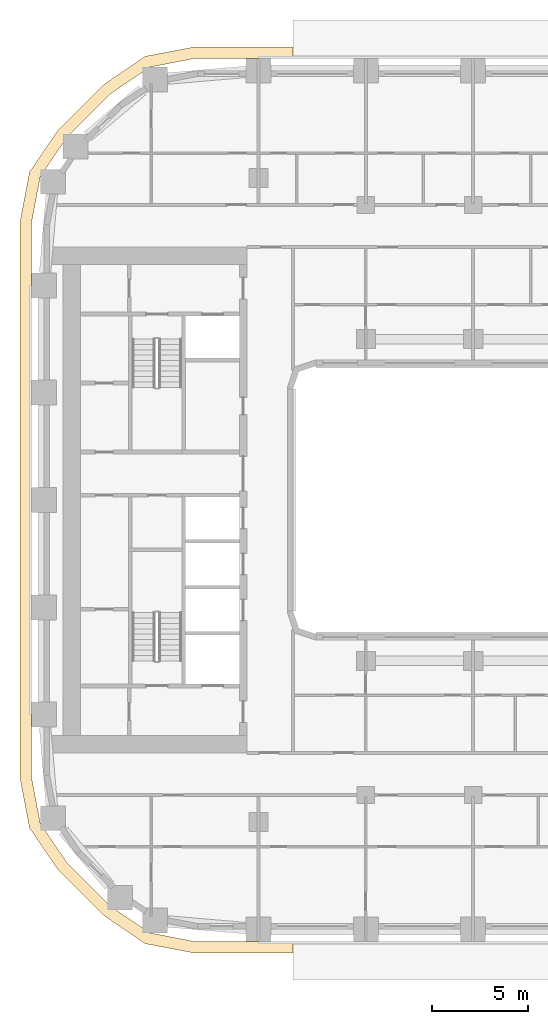
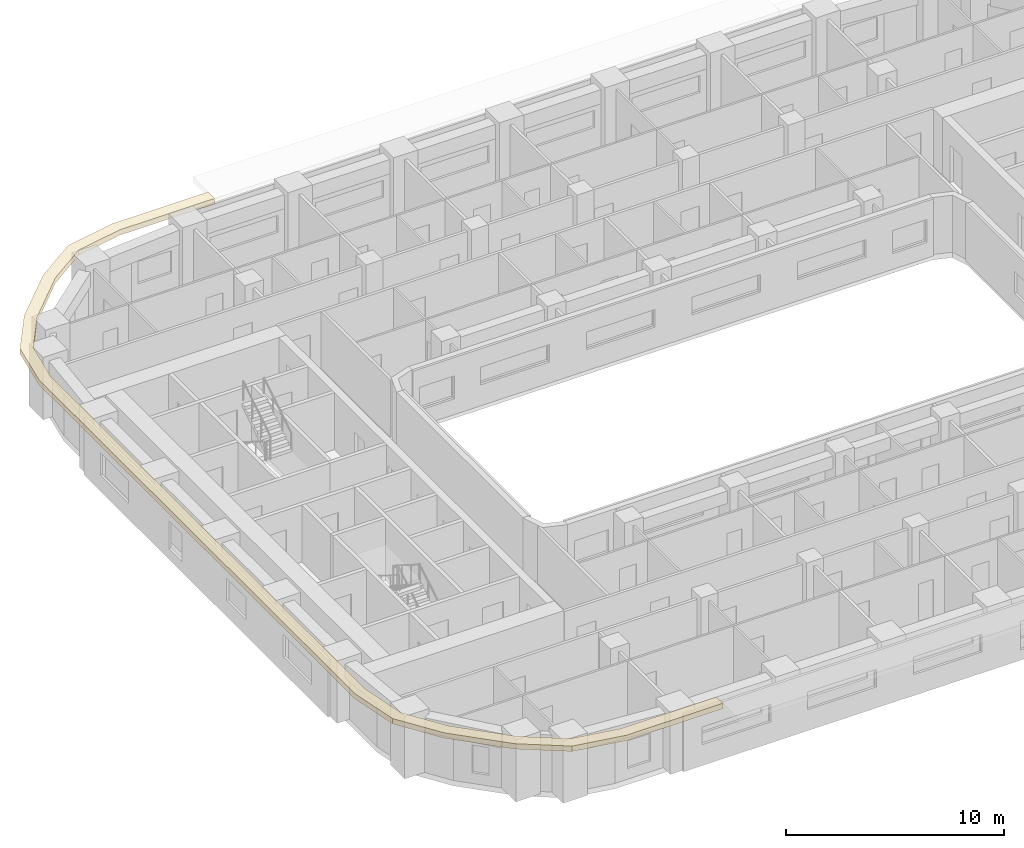
# One storey, part 14 of 21: 1 covering.
"""IFC4 building model written with IfcOpenShell, lengths in metres."""

from ifc_helpers import new_model, si_unit, direction, frame, origin, place, context, subcontext, project, spatial, polyline, outline, extrude, material, layer, layer_set, type_object, element, save


model = new_model("IFC4")

# Units and contexts
model_context = context("Model", 3, precision=1e-05, world=origin(), true_north=direction((0.0, 1.0)))
body_context = subcontext(model_context, "Body", "Model", "MODEL_VIEW")
ifc_project = project(units=[si_unit("LENGTHUNIT", "METRE"), si_unit("AREAUNIT", "SQUARE_METRE"), si_unit("VOLUMEUNIT", "CUBIC_METRE"), si_unit("PLANEANGLEUNIT", "RADIAN"), si_unit("MASSUNIT", "GRAM", prefix="KILO")], contexts=[model_context])

# Site, building, storey
site_placement = place(None, origin())
site = spatial("IfcSite", under=ifc_project, at=site_placement, CompositionType="ELEMENT")
building_placement = place(site_placement, origin())
building = spatial("IfcBuilding", under=site, at=building_placement, Name="Kiln Ring Residences", CompositionType="ELEMENT")
storey_placement = place(building_placement, frame((0.0, 0.0, 100.800048828125)))
storey = spatial("IfcBuildingStorey", under=building, at=storey_placement, Name="L25", CompositionType="ELEMENT", Elevation=100.800048828125)

# Covering
ifc_material = material(Name="Black powder-coated steel", Category="steel")
ifc_layer = layer(ifc_material, 0.300048828125)
ifc_layer_set = layer_set([ifc_layer], Name="SUNSHADE FIN 600")
covering_type = type_object("IfcCoveringType", Name="SUNSHADE FIN 600", PredefinedType="CLADDING", material=ifc_layer_set)
covering_placement = place(storey_placement, frame((0.0, 0.0, 3.199951171875)))
element("IfcCovering", 1, at=covering_placement, inside=storey, type_object=covering_type, Name="SUNSHADE FIN L25", PredefinedType="CLADDING", context=body_context, shape_type="SweptSolid", body=[
    extrude(outline(polyline([(-29.25, -14.51806640625), (-28.755126953125, -17.11279296875), (-27.2705078125, -19.29736328125), (-24.8974609375, -21.67041015625), (-22.712890625, -23.155029296875), (-20.1181640625, -23.64990234375), (-15.0, -23.64990234375), (-15.0, -23.050048828125), (-20.061279296875, -23.050048828125), (-22.478271484375, -22.589111328125), (-24.51318359375, -21.2060546875), (-26.805908203125, -18.9130859375), (-28.18896484375, -16.87841796875), (-28.64990234375, -14.46142578125), (-28.64990234375, 14.46142578125), (-28.18896484375, 16.87841796875), (-26.805908203125, 18.9130859375), (-24.51318359375, 21.2060546875), (-22.478271484375, 22.589111328125), (-20.061279296875, 23.050048828125), (-15.0, 23.050048828125), (-15.0, 23.64990234375), (-20.1181640625, 23.64990234375), (-22.712890625, 23.155029296875), (-24.8974609375, 21.67041015625), (-27.2705078125, 19.29736328125), (-28.755126953125, 17.11279296875), (-29.25, 14.51806640625), (-29.25, -14.51806640625)])), origin(), (0.0, 0.0, 1.0), 0.300048828125),
])

save(model, "model.ifc")
